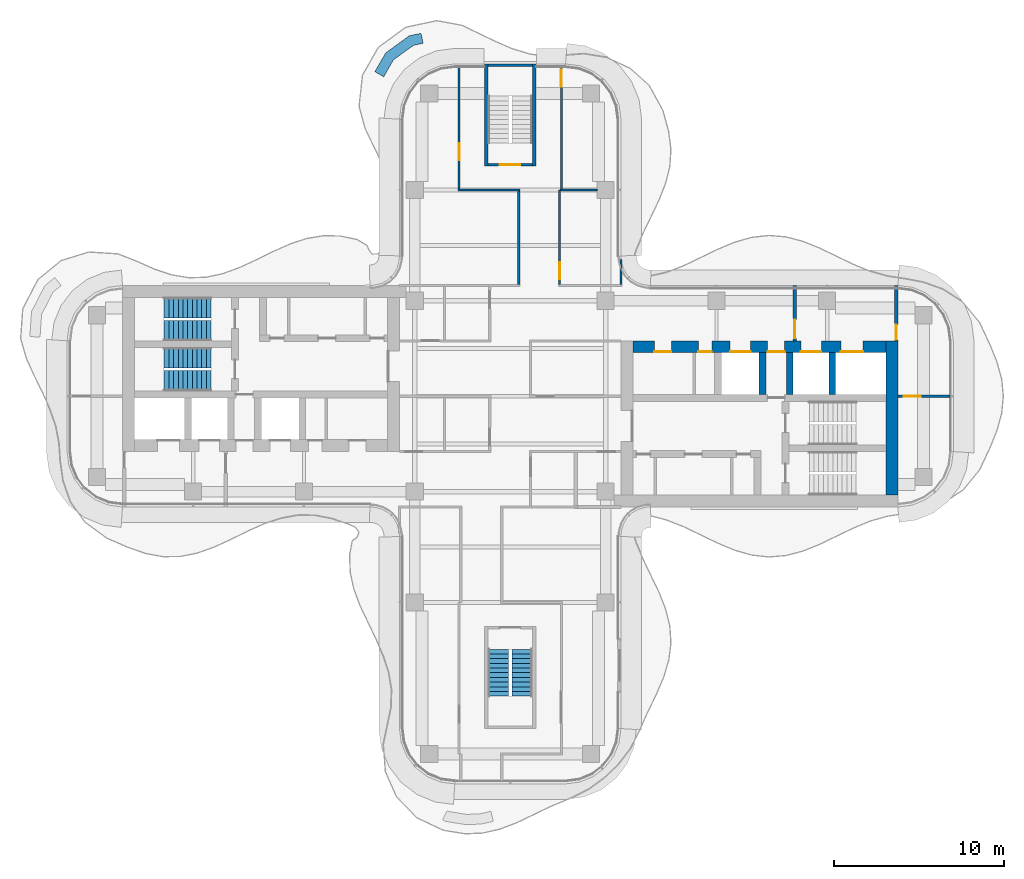
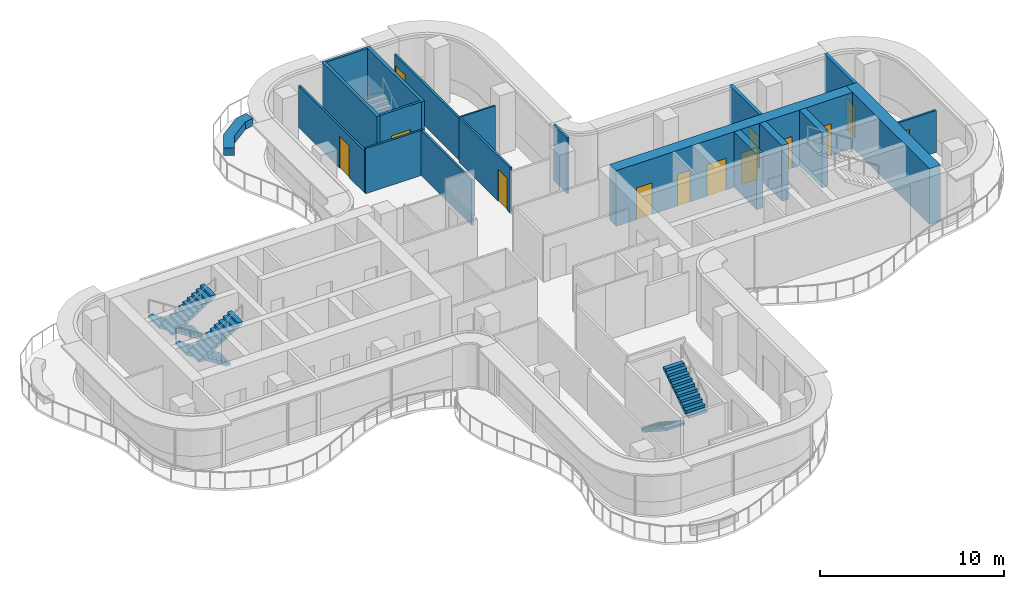
# One storey, part 13 of 16: 20 walls, 13 doors, 6 stair flights, 13 openings, 3 elements without a shape of their own.
"""IFC4 building model written with IfcOpenShell, lengths in metres."""

import ifcopenshell
import ifcopenshell.guid

model = None  # the IFC model being written
_history = None  # IfcOwnerHistory: only IFC2X3 demands one
_inside = {}  # id of a spatial element -> (the spatial element, [elements in it])
_under = {}  # id of a project, library or spatial element -> (it, [spatial elements below it])
_declared = {}  # id of a project -> (the project, [libraries it declares])
_typed = {}  # id of a type object -> (the type object, [elements of that type])
_made_of = {}  # id of a material, layer set ... -> (it, [elements and type objects made of it])


def new_model(schema):
    """Start an empty IFC model of exactly this schema.

    Asked for "IFC4X3", IfcOpenShell would pick the latest addendum, in which some entities
    have other attributes; the version numbers below select the first issue.
    IFC2X3 requires an IfcOwnerHistory on every rooted entity: one is made here for all.
    """
    global model, _history
    if schema == "IFC4X3":
        model = ifcopenshell.file(schema_version=(4, 3, 0, 0))
    else:
        model = ifcopenshell.file(schema=schema)
    _inside.clear()
    _under.clear()
    _declared.clear()
    _typed.clear()
    _made_of.clear()
    _history = None
    if model.schema == "IFC2X3":
        org = make("IfcOrganization", Name="unknown")
        user = make(
            "IfcPersonAndOrganization",
            ThePerson=make("IfcPerson", FamilyName="unknown"),
            TheOrganization=org,
        )
        app = make(
            "IfcApplication",
            ApplicationDeveloper=org,
            Version="unknown",
            ApplicationFullName="unknown",
            ApplicationIdentifier="unknown",
        )
        _history = make(
            "IfcOwnerHistory",
            OwningUser=user,
            OwningApplication=app,
            ChangeAction="ADDED",
            CreationDate=0,
        )
    return model


def make(cls, **values):
    """One entity of the class cls with the attributes given. An attribute that is None is left unset."""
    return model.create_entity(
        cls, **{name: value for name, value in values.items() if value is not None}
    )


def rooted(cls, **values):
    """An entity with a GlobalId (a new one), such as an element, a storey or a relation."""
    return make(cls, GlobalId=ifcopenshell.guid.new(), OwnerHistory=_history, **values)


def si_unit(unit_type, name, prefix=None):
    """IfcSIUnit, for example si_unit("LENGTHUNIT", "METRE", prefix="MILLI")."""
    return make("IfcSIUnit", UnitType=unit_type, Prefix=prefix, Name=name)


def assignment(units):
    """IfcUnitAssignment: the units of a project."""
    return None if units is None else make("IfcUnitAssignment", Units=units)


def point(xyz):
    """IfcCartesianPoint."""
    return None if xyz is None else make("IfcCartesianPoint", Coordinates=xyz)


def direction(xyz):
    """IfcDirection."""
    return None if xyz is None else make("IfcDirection", DirectionRatios=xyz)


def frame(location, z_axis=None, x_axis=None):
    """IfcAxis2Placement3D, a coordinate frame: its origin and axes. An axis left out is left unset."""
    return make(
        "IfcAxis2Placement3D",
        Location=point(location),
        Axis=direction(z_axis),
        RefDirection=direction(x_axis),
    )


def frame_2d(location, x_axis=None):
    """IfcAxis2Placement2D, a coordinate frame in the plane: its origin and x axis."""
    return make(
        "IfcAxis2Placement2D", Location=point(location), RefDirection=direction(x_axis)
    )


def origin():
    """The frame at (0, 0, 0) with its axes left unset."""
    return frame((0.0, 0.0, 0.0))


def place(relative_to, where):
    """IfcLocalPlacement: puts the frame where relative to a parent placement (None: the world)."""
    return make(
        "IfcLocalPlacement", PlacementRelTo=relative_to, RelativePlacement=where
    )


def context(
    kind, dimensions, precision=None, world=None, true_north=None, identifier=None
):
    """IfcGeometricRepresentationContext, for example the 3D "Model" context."""
    return make(
        "IfcGeometricRepresentationContext",
        ContextIdentifier=identifier,
        ContextType=kind,
        CoordinateSpaceDimension=dimensions,
        Precision=precision,
        WorldCoordinateSystem=world,
        TrueNorth=true_north,
    )


def subcontext(parent, identifier, kind, view, scale=None):
    """IfcGeometricRepresentationSubContext, for example "Body" below "Model"."""
    return make(
        "IfcGeometricRepresentationSubContext",
        ContextIdentifier=identifier,
        ContextType=kind,
        ParentContext=parent,
        TargetScale=scale,
        TargetView=view,
    )


def project(units=None, contexts=None):
    """IfcProject with its units and contexts."""
    return rooted(
        "IfcProject",
        Name="project",
        RepresentationContexts=contexts,
        UnitsInContext=assignment(units),
    )


def spatial(cls, under=None, at=None, **own):
    """A site, building, storey or space (cls), placed at a placement, below another one or the project."""
    s = rooted(cls, ObjectPlacement=at, **own)
    if under is not None:
        _under.setdefault(under.id(), (under, []))[1].append(s)
    return s


def polyline(points):
    """IfcPolyline through the points."""
    return make("IfcPolyline", Points=[point(p) for p in points])


def profile(cls, at=None, kind="AREA", **sizes):
    """A parametric profile (cls). Its sizes go by their IFC names, for example OverallWidth=200.0."""
    return make(cls, ProfileType=kind, Position=at, **sizes)


def rectangle(**sizes):
    """IfcRectangleProfileDef."""
    return profile("IfcRectangleProfileDef", **sizes)


def outline(outer, holes=None, kind="AREA"):
    """IfcArbitraryClosedProfileDef: a profile drawn as a closed curve; with holes, ...WithVoids."""
    if holes is None:
        return make("IfcArbitraryClosedProfileDef", ProfileType=kind, OuterCurve=outer)
    return make(
        "IfcArbitraryProfileDefWithVoids",
        ProfileType=kind,
        OuterCurve=outer,
        InnerCurves=holes,
    )


def extrude(swept, where, along, depth):
    """IfcExtrudedAreaSolid: the profile swept, set in the frame where, extruded along a direction by depth."""
    return make(
        "IfcExtrudedAreaSolid",
        SweptArea=swept,
        Position=where,
        ExtrudedDirection=direction(along),
        Depth=depth,
    )


def shape(context_of_items, identifier, shape_type, items):
    """IfcShapeRepresentation: the items that make up one representation, for example the "Body"."""
    return make(
        "IfcShapeRepresentation",
        ContextOfItems=context_of_items,
        RepresentationIdentifier=identifier,
        RepresentationType=shape_type,
        Items=items,
    )


def source(mapping_origin, context_of_items, identifier, shape_type, items):
    """IfcRepresentationMap: a shape defined once, which mapped items show again and again."""
    return make(
        "IfcRepresentationMap",
        MappingOrigin=mapping_origin,
        MappedRepresentation=shape(context_of_items, identifier, shape_type, items),
    )


def transform(
    local_origin,
    x_axis=None,
    y_axis=None,
    z_axis=None,
    scale=None,
    scale2=None,
    scale3=None,
    uniform=True,
):
    """IfcCartesianTransformationOperator3D, or its non-uniform kind. x_axis, y_axis, z_axis: its Axis1, 2, 3."""
    if uniform:
        return make(
            "IfcCartesianTransformationOperator3D",
            Axis1=direction(x_axis),
            Axis2=direction(y_axis),
            LocalOrigin=point(local_origin),
            Scale=scale,
            Axis3=direction(z_axis),
        )
    return make(
        "IfcCartesianTransformationOperator3DnonUniform",
        Axis1=direction(x_axis),
        Axis2=direction(y_axis),
        LocalOrigin=point(local_origin),
        Scale=scale,
        Axis3=direction(z_axis),
        Scale2=scale2,
        Scale3=scale3,
    )


def mapped(mapping_source, mapping_target):
    """IfcMappedItem: shows the shape of a source again, moved by a transform."""
    return make(
        "IfcMappedItem", MappingSource=mapping_source, MappingTarget=mapping_target
    )


def material(Name=None, Category=None):
    """IfcMaterial."""
    return make("IfcMaterial", Name=Name, Category=Category)


def layer(
    of_material, thickness, ventilated=None, Name=None, Category=None, Priority=None
):
    """IfcMaterialLayer: one layer of a wall or slab, of a material (None: an air gap)."""
    return make(
        "IfcMaterialLayer",
        Material=of_material,
        LayerThickness=thickness,
        IsVentilated=ventilated,
        Name=Name,
        Category=Category,
        Priority=Priority,
    )


def layer_set(layers, Name=None):
    """IfcMaterialLayerSet."""
    return make("IfcMaterialLayerSet", MaterialLayers=layers, LayerSetName=Name)


def made_of(thing, what):
    """Note that an element or type object is made of a material, layer set ...; save() writes the relation."""
    if what is not None:
        _made_of.setdefault(what.id(), (what, []))[1].append(thing)
    return thing


def type_object(cls, material=None, **own):
    """A type object (cls), such as IfcWallType, which elements share."""
    return made_of(rooted(cls, **own), material)


def element(
    cls,
    number,
    at=None,
    inside=None,
    cuts=None,
    type_object=None,
    material=None,
    context=None,
    identifier="Body",
    shape_type=None,
    held_by="IfcProductDefinitionShape",
    body=None,
    shapes=None,
    **own,
):
    """One element of the class cls, such as IfcWall. Its Tag is "e" and its number.

    at: its placement. inside: the storey or other place that contains it. cuts: it is an
    opening in that element (IfcRelVoidsElement). A single representation is given by context,
    identifier, shape_type and body (its items); several are given by shapes. held_by: the class
    of the entity that holds the representations. save() writes the other relations.
    """
    e = rooted(cls, Tag="e%d" % number, ObjectPlacement=at, **own)
    if body is not None:
        shapes = [shape(context, identifier, shape_type, body)]
    if shapes is not None:
        e.Representation = make(held_by, Representations=shapes)
    if inside is not None:
        _inside.setdefault(inside.id(), (inside, []))[1].append(e)
    if cuts is not None:
        rooted(
            "IfcRelVoidsElement", RelatingBuildingElement=cuts, RelatedOpeningElement=e
        )
    if type_object is not None:
        _typed.setdefault(type_object.id(), (type_object, []))[1].append(e)
    return made_of(e, material)


def fill(opening, filler):
    """IfcRelFillsElement: the door or window that sits in an opening."""
    return rooted(
        "IfcRelFillsElement",
        RelatingOpeningElement=opening,
        RelatedBuildingElement=filler,
    )


def aggregate(whole, parts):
    """IfcRelAggregates: a whole, such as a stair, and the parts it consists of."""
    return rooted("IfcRelAggregates", RelatingObject=whole, RelatedObjects=parts)


def save(model, path):
    """Write the relations noted so far, then the file.

    IfcRelAggregates (storeys below a building ...), IfcRelContainedInSpatialStructure (elements
    in a storey), IfcRelDefinesByType, IfcRelAssociatesMaterial and IfcRelDeclares: one each for
    every whole, place, type object, material and project.
    """
    for whole, parts in _under.values():
        aggregate(whole, parts)
    for where, things in _inside.values():
        rooted(
            "IfcRelContainedInSpatialStructure",
            RelatedElements=things,
            RelatingStructure=where,
        )
    for kind, things in _typed.values():
        rooted("IfcRelDefinesByType", RelatedObjects=things, RelatingType=kind)
    for what, things in _made_of.values():
        rooted("IfcRelAssociatesMaterial", RelatedObjects=things, RelatingMaterial=what)
    for by, libraries in _declared.values():
        rooted("IfcRelDeclares", RelatingContext=by, RelatedDefinitions=libraries)
    model.write(path)


model = new_model("IFC4")

# Units and contexts
model_context = context("Model", 3, precision=1e-05, world=origin(), true_north=direction((0.0, 1.0)))
body_context = subcontext(model_context, "Body", "Model", "MODEL_VIEW")
ifc_project = project(units=[si_unit("LENGTHUNIT", "METRE"), si_unit("AREAUNIT", "SQUARE_METRE"), si_unit("VOLUMEUNIT", "CUBIC_METRE"), si_unit("PLANEANGLEUNIT", "RADIAN"), si_unit("MASSUNIT", "GRAM", prefix="KILO")], contexts=[model_context])

# Site, building, storey
site_placement = place(None, origin())
site = spatial("IfcSite", under=ifc_project, at=site_placement, CompositionType="ELEMENT")
building_placement = place(site_placement, origin())
building = spatial("IfcBuilding", under=site, at=building_placement, Name="Trellis Farm Tower", CompositionType="ELEMENT")
storey_placement = place(building_placement, frame((0.0, 0.0, 318.39990234375)))
storey = spatial("IfcBuildingStorey", under=building, at=storey_placement, Name="L72", CompositionType="ELEMENT", Elevation=318.39990234375)

# Walls
ifc_material_1 = material(Name="Sandstone faced masonry planter", Category="masonry")
ifc_layer_1 = layer(ifc_material_1, 0.60009765625)
ifc_layer_set_1 = layer_set([ifc_layer_1], Name="PLANTER BED 600")
wall_type_1 = type_object("IfcWallType", Name="PLANTER BED 600", PredefinedType="USERDEFINED", material=ifc_layer_set_1)
placement = place(storey_placement, origin())
element("IfcWall", 1, at=placement, inside=storey, type_object=wall_type_1, Name="PLANTER bed", ObjectType="PLANTER", PredefinedType="USERDEFINED", context=body_context, shape_type="SweptSolid", body=[
    extrude(outline(polyline([(-5.92431640625, 21.1455078125), (-5.23193359375, 21.29248046875), (-5.107421875, 20.70556640625), (-5.67529296875, 20.5849609375), (-6.85009765625, 19.7333984375), (-7.420654296875, 18.740478515625), (-7.94091796875, 19.039306640625), (-7.306396484375, 20.143798828125), (-5.92431640625, 21.1455078125)])), origin(), (0.0, 0.0, 1.0), 0.5),
])
ifc_material_2 = material(Name="Concrete C50/60", Category="concrete")
ifc_layer_2 = layer(ifc_material_2, 0.699951171875)
ifc_layer_set_2 = layer_set([ifc_layer_2], Name="CORE OUTER WALL 700 CONCRETE C50/60")
wall_type_2 = type_object("IfcWallType", Name="CORE OUTER WALL 700 CONCRETE C50/60", PredefinedType="SHEAR", material=ifc_layer_set_2)
shared_shape_1 = source(origin(), body_context, "Body", "SweptSolid", [
    extrude(rectangle(XDim=9.050048828125, YDim=0.699951171875, at=frame_2d((4.52490234375, 0.0))), origin(), (0.0, 0.0, 1.0), 3.7001953125),
])
wall_2_placement = place(storey_placement, frame((22.39990234375, -5.800048828125, 0.0), z_axis=(0.0, 0.0, 1.0), x_axis=(0.0, 1.0, 0.0)))
element("IfcWall", 2, at=wall_2_placement, inside=storey, type_object=wall_type_2, Name="Core wall", PredefinedType="SHEAR", context=body_context, shape_type="MappedRepresentation", body=[
    mapped(shared_shape_1, transform((0.0, 0.0, 0.0))),
])
ifc_layer_3 = layer(ifc_material_2, 0.39990234375)
ifc_layer_set_3 = layer_set([ifc_layer_3], Name="CORE INNER WALL 400 CONCRETE C50/60")
wall_type_3 = type_object("IfcWallType", Name="CORE INNER WALL 400 CONCRETE C50/60", PredefinedType="SHEAR", material=ifc_layer_set_3)
shared_shape_2 = source(origin(), body_context, "Body", "SweptSolid", [
    extrude(rectangle(XDim=2.449951171875, YDim=0.39990234375, at=frame_2d((1.22509765625, 0.0))), origin(), (0.0, 0.0, 1.0), 3.7001953125),
])
for number, where, z_axis, x_axis, name in (
    (3, (14.800048828125, 0.10009765625, 0.0), (0.0, 0.0, 1.0), (0.0, 1.0, 0.0), "Core wall"),
    (4, (16.39990234375, 0.10009765625, 0.0), (0.0, 0.0, 1.0), (0.0, 1.0, 0.0), "Core wall"),
    (5, (18.89990234375, 0.10009765625, 0.0), (0.0, 0.0, 1.0), (0.0, 1.0, 0.0), "Core wall"),
):
    element("IfcWall", number, at=place(storey_placement, frame(where, z_axis=z_axis, x_axis=x_axis)), inside=storey, type_object=wall_type_3, Name=name, PredefinedType="SHEAR", context=body_context, shape_type="MappedRepresentation", body=[
        mapped(shared_shape_2, transform((0.0, 0.0, 0.0))),
    ])

# Wall, opening, door
ifc_material_3 = material(Name="Masonry blockwork", Category="masonry")
ifc_layer_4 = layer(ifc_material_3, 0.199951171875)
ifc_layer_set_4 = layer_set([ifc_layer_4], Name="FIRE LOBBY PARTITION 200 BLOCKWORK")
wall_type_4 = type_object("IfcWallType", Name="FIRE LOBBY PARTITION 200 BLOCKWORK", PredefinedType="PARTITIONING", material=ifc_layer_set_4)
shared_shape_3 = source(origin(), body_context, "Body", "SweptSolid", [
    extrude(rectangle(XDim=3.25, YDim=0.199951171875, at=frame_2d((1.625, 0.0))), origin(), (0.0, 0.0, 1.0), 3.7001953125),
])
wall_3_placement = place(storey_placement, frame((16.699951171875, 3.25, 0.0), z_axis=(0.0, 0.0, 1.0), x_axis=(0.0, 1.0, 0.0)))
wall_3 = element("IfcWall", 6, at=wall_3_placement, inside=storey, type_object=wall_type_4, Name="Fire-fighting lobby partition", PredefinedType="PARTITIONING", context=body_context, shape_type="MappedRepresentation", body=[
    mapped(shared_shape_3, transform((0.0, 0.0, 0.0))),
])
shared_shape_4 = source(origin(), body_context, "Body", "SweptSolid", [
    extrude(rectangle(XDim=1.10009765625, YDim=2.10009765625, at=frame_2d((0.550048828125, 1.050048828125))), frame((0.0, 0.110107421875, 0.0), z_axis=(0.0, -1.0, 0.0), x_axis=(1.0, 0.0, 0.0)), (0.0, 0.0, 1.0), 0.22021484375),
])
opening_1_placement = place(wall_3_placement, frame((0.14990234375, 0.0, 0.0)))
opening_1 = element("IfcOpeningElement", 7, at=opening_1_placement, cuts=wall_3, Name="Opening DC7", PredefinedType="OPENING", context=body_context, shape_type="MappedRepresentation", body=[
    mapped(shared_shape_4, transform((0.0, 0.0, 0.0))),
])
ifc_material_4 = material(Name="Steel", Category="steel")
door_type_1 = type_object("IfcDoorType", Name="CORE FIRE DOOR 1100 X 2100", OperationType="NOTDEFINED", PredefinedType="DOOR", material=ifc_material_4)
shared_shape_5 = source(origin(), body_context, "Body", "SweptSolid", [
    extrude(rectangle(XDim=1.10009765625, YDim=2.10009765625, at=frame_2d((0.550048828125, 1.050048828125))), frame((0.0, 0.02490234375, 0.0), z_axis=(0.0, -1.0, 0.0), x_axis=(1.0, 0.0, 0.0)), (0.0, 0.0, 1.0), 0.050048828125),
])
door_1_placement = place(opening_1_placement, origin())
door_1 = element("IfcDoor", 8, at=door_1_placement, inside=storey, type_object=door_type_1, Name="Core door", OperationType="SINGLE_SWING_RIGHT", OverallHeight=2.10009765625, OverallWidth=1.10009765625, PredefinedType="DOOR", context=body_context, shape_type="MappedRepresentation", body=[
    mapped(shared_shape_5, transform((0.0, 0.0, 0.0))),
])
fill(opening_1, door_1)

wall_4_placement = place(storey_placement, frame((22.64990234375, 3.25, 0.0), z_axis=(0.0, 0.0, 1.0), x_axis=(0.0, 1.0, 0.0)))
wall_4 = element("IfcWall", 9, at=wall_4_placement, inside=storey, type_object=wall_type_4, Name="Fire-fighting lobby partition", PredefinedType="PARTITIONING", context=body_context, shape_type="MappedRepresentation", body=[
    mapped(shared_shape_3, transform((0.0, 0.0, 0.0))),
])
shared_shape_6 = source(origin(), body_context, "Body", "SweptSolid", [
    extrude(rectangle(XDim=0.89990234375, YDim=2.10009765625, at=frame_2d((0.449951171875, 1.050048828125))), frame((0.0, 0.110107421875, 0.0), z_axis=(0.0, -1.0, 0.0), x_axis=(1.0, 0.0, 0.0)), (0.0, 0.0, 1.0), 0.22021484375),
])
opening_2_placement = place(wall_4_placement, frame((0.050048828125, 0.0, 0.0)))
opening_2 = element("IfcOpeningElement", 10, at=opening_2_placement, cuts=wall_4, Name="Opening DC8", PredefinedType="OPENING", context=body_context, shape_type="MappedRepresentation", body=[
    mapped(shared_shape_6, transform((0.0, 0.0, 0.0))),
])
door_type_2 = type_object("IfcDoorType", Name="CORE FIRE DOOR 900 X 2100", OperationType="NOTDEFINED", PredefinedType="DOOR", material=ifc_material_4)
shared_shape_7 = source(origin(), body_context, "Body", "SweptSolid", [
    extrude(rectangle(XDim=0.89990234375, YDim=2.10009765625, at=frame_2d((0.449951171875, 1.050048828125))), frame((0.0, 0.02490234375, 0.0), z_axis=(0.0, -1.0, 0.0), x_axis=(1.0, 0.0, 0.0)), (0.0, 0.0, 1.0), 0.050048828125),
])
door_2_placement = place(opening_2_placement, origin())
door_2 = element("IfcDoor", 11, at=door_2_placement, inside=storey, type_object=door_type_2, Name="Core door", OperationType="SINGLE_SWING_RIGHT", OverallHeight=2.10009765625, OverallWidth=0.89990234375, PredefinedType="DOOR", context=body_context, shape_type="MappedRepresentation", body=[
    mapped(shared_shape_7, transform((0.0, 0.0, 0.0))),
])
fill(opening_2, door_2)

# Wall, openings, doors
shared_shape_8 = source(origin(), body_context, "Body", "SweptSolid", [
    extrude(rectangle(XDim=14.85009765625, YDim=0.699951171875, at=frame_2d((7.425048828125, 0.0))), origin(), (0.0, 0.0, 1.0), 3.7001953125),
])
wall_5_placement = place(storey_placement, frame((7.199951171875, 2.89990234375, 0.0), z_axis=(0.0, 0.0, 1.0), x_axis=(1.0, 0.0, 0.0)))
wall_5 = element("IfcWall", 12, at=wall_5_placement, inside=storey, type_object=wall_type_2, Name="Core wall", PredefinedType="SHEAR", context=body_context, shape_type="MappedRepresentation", body=[
    mapped(shared_shape_8, transform((0.0, 0.0, 0.0))),
])
shared_shape_9 = source(origin(), body_context, "Body", "SweptSolid", [
    extrude(rectangle(XDim=1.199951171875, YDim=2.10009765625, at=frame_2d((0.60009765625, 1.050048828125))), frame((0.0, 0.360107421875, 0.0), z_axis=(0.0, -1.0, 0.0), x_axis=(1.0, 0.0, 0.0)), (0.0, 0.0, 1.0), 0.72021484375),
])
opening_3_placement = place(wall_5_placement, frame((5.699951171875, 0.0, 0.0)))
opening_3 = element("IfcOpeningElement", 13, at=opening_3_placement, cuts=wall_5, Name="Opening LD6", PredefinedType="OPENING", context=body_context, shape_type="MappedRepresentation", body=[
    mapped(shared_shape_9, transform((0.0, 0.0, 0.0))),
])
shared_shape_10 = source(origin(), body_context, "Body", "SweptSolid", [
    extrude(rectangle(XDim=1.300048828125, YDim=2.10009765625, at=frame_2d((0.64990234375, 1.050048828125))), frame((0.0, 0.360107421875, 0.0), z_axis=(0.0, -1.0, 0.0), x_axis=(1.0, 0.0, 0.0)), (0.0, 0.0, 1.0), 0.72021484375),
])
opening_4_placement = place(wall_5_placement, frame((12.199951171875, 0.0, 0.0)))
opening_4 = element("IfcOpeningElement", 14, at=opening_4_placement, cuts=wall_5, Name="Opening LD7", PredefinedType="OPENING", context=body_context, shape_type="MappedRepresentation", body=[
    mapped(shared_shape_10, transform((0.0, 0.0, 0.0))),
])
opening_5_placement = place(wall_5_placement, frame((9.85009765625, 0.0, 0.0)))
opening_5 = element("IfcOpeningElement", 15, at=opening_5_placement, cuts=wall_5, Name="Opening LD8", PredefinedType="OPENING", context=body_context, shape_type="MappedRepresentation", body=[
    mapped(shared_shape_9, transform((0.0, 0.0, 0.0))),
])
shared_shape_11 = source(origin(), body_context, "Body", "SweptSolid", [
    extrude(rectangle(XDim=1.0, YDim=2.10009765625, at=frame_2d((0.5, 1.050048828125))), frame((0.0, 0.360107421875, 0.0), z_axis=(0.0, -1.0, 0.0), x_axis=(1.0, 0.0, 0.0)), (0.0, 0.0, 1.0), 0.72021484375),
])
opening_6_placement = place(wall_5_placement, frame((7.89990234375, 0.0, 0.0)))
opening_6 = element("IfcOpeningElement", 16, at=opening_6_placement, cuts=wall_5, Name="Opening DC6", PredefinedType="OPENING", context=body_context, shape_type="MappedRepresentation", body=[
    mapped(shared_shape_11, transform((0.0, 0.0, 0.0))),
])
opening_7_placement = place(wall_5_placement, frame((1.262451171875, 0.0, 0.0)))
opening_7 = element("IfcOpeningElement", 17, at=opening_7_placement, cuts=wall_5, Name="Opening DC14", PredefinedType="OPENING", context=body_context, shape_type="MappedRepresentation", body=[
    mapped(shared_shape_11, transform((0.0, 0.0, 0.0))),
])
shared_shape_12 = source(origin(), body_context, "Body", "SweptSolid", [
    extrude(rectangle(XDim=0.800048828125, YDim=2.10009765625, at=frame_2d((0.39990234375, 1.050048828125))), frame((0.0, 0.360107421875, 0.0), z_axis=(0.0, -1.0, 0.0), x_axis=(1.0, 0.0, 0.0)), (0.0, 0.0, 1.0), 0.72021484375),
])
opening_8_placement = place(wall_5_placement, frame((3.83740234375, 0.0, 0.0)))
opening_8 = element("IfcOpeningElement", 18, at=opening_8_placement, cuts=wall_5, Name="Opening DC15", PredefinedType="OPENING", context=body_context, shape_type="MappedRepresentation", body=[
    mapped(shared_shape_12, transform((0.0, 0.0, 0.0))),
])
door_type_3 = type_object("IfcDoorType", Name="CORE FIRE DOOR 1000 X 2100", OperationType="NOTDEFINED", PredefinedType="DOOR", material=ifc_material_4)
shared_shape_13 = source(origin(), body_context, "Body", "SweptSolid", [
    extrude(rectangle(XDim=1.0, YDim=2.10009765625, at=frame_2d((0.5, 1.050048828125))), frame((0.0, -0.27490234375, 0.0), z_axis=(0.0, -1.0, 0.0), x_axis=(1.0, 0.0, 0.0)), (0.0, 0.0, 1.0), 0.050048828125),
])
door_3_placement = place(opening_6_placement, origin())
door_3 = element("IfcDoor", 19, at=door_3_placement, inside=storey, type_object=door_type_3, Name="Core door", OperationType="SINGLE_SWING_LEFT", OverallHeight=2.10009765625, OverallWidth=1.0, PredefinedType="DOOR", context=body_context, shape_type="MappedRepresentation", body=[
    mapped(shared_shape_13, transform((0.0, 0.0, 0.0))),
])
fill(opening_6, door_3)
door_4_placement = place(opening_7_placement, origin())
door_4 = element("IfcDoor", 20, at=door_4_placement, inside=storey, type_object=door_type_3, Name="Core door", OperationType="SINGLE_SWING_RIGHT", OverallHeight=2.10009765625, OverallWidth=1.0, PredefinedType="DOOR", context=body_context, shape_type="MappedRepresentation", body=[
    mapped(shared_shape_13, transform((0.0, 0.0, 0.0))),
])
fill(opening_7, door_4)
ifc_material_5 = material(Name="Stainless steel", Category="steel")
door_type_4 = type_object("IfcDoorType", Name="LIFT LANDING DOOR 1300 X 2100", OperationType="DOUBLE_DOOR_SLIDING", PredefinedType="DOOR", material=ifc_material_5)
shared_shape_14 = source(origin(), body_context, "Body", "SweptSolid", [
    extrude(rectangle(XDim=1.300048828125, YDim=2.10009765625, at=frame_2d((0.64990234375, 1.050048828125))), frame((0.0, -0.27490234375, 0.0), z_axis=(0.0, -1.0, 0.0), x_axis=(1.0, 0.0, 0.0)), (0.0, 0.0, 1.0), 0.050048828125),
])
door_5_placement = place(opening_4_placement, origin())
door_5 = element("IfcDoor", 21, at=door_5_placement, inside=storey, type_object=door_type_4, Name="Lift landing door", OperationType="DOUBLE_DOOR_SLIDING", OverallHeight=2.10009765625, OverallWidth=1.300048828125, PredefinedType="DOOR", context=body_context, shape_type="MappedRepresentation", body=[
    mapped(shared_shape_14, transform((0.0, 0.0, 0.0))),
])
fill(opening_4, door_5)
door_type_5 = type_object("IfcDoorType", Name="LIFT LANDING DOOR 1200 X 2100", OperationType="DOUBLE_DOOR_SLIDING", PredefinedType="DOOR", material=ifc_material_5)
shared_shape_15 = source(origin(), body_context, "Body", "SweptSolid", [
    extrude(rectangle(XDim=1.199951171875, YDim=2.10009765625, at=frame_2d((0.60009765625, 1.050048828125))), frame((0.0, -0.27490234375, 0.0), z_axis=(0.0, -1.0, 0.0), x_axis=(1.0, 0.0, 0.0)), (0.0, 0.0, 1.0), 0.050048828125),
])
door_6_placement = place(opening_3_placement, origin())
door_6 = element("IfcDoor", 22, at=door_6_placement, inside=storey, type_object=door_type_5, Name="Lift landing door", OperationType="DOUBLE_DOOR_SLIDING", OverallHeight=2.10009765625, OverallWidth=1.199951171875, PredefinedType="DOOR", context=body_context, shape_type="MappedRepresentation", body=[
    mapped(shared_shape_15, transform((0.0, 0.0, 0.0))),
])
fill(opening_3, door_6)
door_7_placement = place(opening_5_placement, origin())
door_7 = element("IfcDoor", 23, at=door_7_placement, inside=storey, type_object=door_type_5, Name="Lift landing door", OperationType="DOUBLE_DOOR_SLIDING", OverallHeight=2.10009765625, OverallWidth=1.199951171875, PredefinedType="DOOR", context=body_context, shape_type="MappedRepresentation", body=[
    mapped(shared_shape_15, transform((0.0, 0.0, 0.0))),
])
fill(opening_5, door_7)
door_type_6 = type_object("IfcDoorType", Name="CORE FIRE DOOR 800 X 2100", OperationType="NOTDEFINED", PredefinedType="DOOR", material=ifc_material_4)
shared_shape_16 = source(origin(), body_context, "Body", "SweptSolid", [
    extrude(rectangle(XDim=0.800048828125, YDim=2.10009765625, at=frame_2d((0.39990234375, 1.050048828125))), frame((0.0, -0.27490234375, 0.0), z_axis=(0.0, -1.0, 0.0), x_axis=(1.0, 0.0, 0.0)), (0.0, 0.0, 1.0), 0.050048828125),
])
door_8_placement = place(opening_8_placement, origin())
door_8 = element("IfcDoor", 24, at=door_8_placement, inside=storey, type_object=door_type_6, Name="Core door", OperationType="SINGLE_SWING_LEFT", OverallHeight=2.10009765625, OverallWidth=0.800048828125, PredefinedType="DOOR", context=body_context, shape_type="MappedRepresentation", body=[
    mapped(shared_shape_16, transform((0.0, 0.0, 0.0))),
])
fill(opening_8, door_8)

# Walls
ifc_layer_5 = layer(ifc_material_2, 0.199951171875)
ifc_layer_set_5 = layer_set([ifc_layer_5], Name="CORE STAIR ENCLOSURE WALL 200 CONCRETE C50/60")
wall_type_5 = type_object("IfcWallType", Name="CORE STAIR ENCLOSURE WALL 200 CONCRETE C50/60", PredefinedType="SHEAR", material=ifc_layer_set_5)
shared_shape_17 = source(origin(), body_context, "Body", "SweptSolid", [
    extrude(rectangle(XDim=6.0, YDim=0.199951171875, at=frame_2d((3.0, 0.0))), origin(), (0.0, 0.0, 1.0), 3.7001953125),
])
for number, where, z_axis, x_axis, name in (
    (25, (-1.39990234375, 13.5, 0.0), (0.0, 0.0, 1.0), (0.0, 1.0, 0.0), "Stair enclosure wall"),
    (26, (1.39990234375, 13.5, 0.0), (0.0, 0.0, 1.0), (0.0, 1.0, 0.0), "Stair enclosure wall"),
):
    element("IfcWall", number, at=place(storey_placement, frame(where, z_axis=z_axis, x_axis=x_axis)), inside=storey, type_object=wall_type_5, Name=name, PredefinedType="SHEAR", context=body_context, shape_type="MappedRepresentation", body=[
        mapped(shared_shape_17, transform((0.0, 0.0, 0.0))),
    ])

# Wall, opening, door
ifc_layer_6 = layer(ifc_material_2, 0.14990234375)
ifc_layer_set_6 = layer_set([ifc_layer_6], Name="CORE STAIR ENCLOSURE WALL 150 CONCRETE C50/60")
wall_type_6 = type_object("IfcWallType", Name="CORE STAIR ENCLOSURE WALL 150 CONCRETE C50/60", PredefinedType="SHEAR", material=ifc_layer_set_6)
shared_shape_18 = source(origin(), body_context, "Body", "SweptSolid", [
    extrude(rectangle(XDim=2.60009765625, YDim=0.14990234375, at=frame_2d((1.300048828125, 0.0))), origin(), (0.0, 0.0, 1.0), 3.7001953125),
])
wall_6_placement = place(storey_placement, frame((-1.300048828125, 13.574951171875, 0.0), z_axis=(0.0, 0.0, 1.0), x_axis=(1.0, 0.0, 0.0)))
wall_6 = element("IfcWall", 27, at=wall_6_placement, inside=storey, type_object=wall_type_6, Name="Stair enclosure wall", PredefinedType="SHEAR", context=body_context, shape_type="MappedRepresentation", body=[
    mapped(shared_shape_18, transform((0.0, 0.0, 0.0))),
])
shared_shape_19 = source(origin(), body_context, "Body", "SweptSolid", [
    extrude(rectangle(XDim=1.199951171875, YDim=2.10009765625, at=frame_2d((0.60009765625, 1.050048828125))), frame((0.0, 0.0849609375, 0.0), z_axis=(0.0, -1.0, 0.0), x_axis=(1.0, 0.0, 0.0)), (0.0, 0.0, 1.0), 0.169921875),
])
opening_9_placement = place(wall_6_placement, frame((0.699951171875, 0.0, 0.0)))
opening_9 = element("IfcOpeningElement", 28, at=opening_9_placement, cuts=wall_6, Name="Opening DC173", PredefinedType="OPENING", context=body_context, shape_type="MappedRepresentation", body=[
    mapped(shared_shape_19, transform((0.0, 0.0, 0.0))),
])
door_type_7 = type_object("IfcDoorType", Name="CORE FIRE DOOR 1200 X 2100", OperationType="NOTDEFINED", PredefinedType="DOOR", material=ifc_material_4)
shared_shape_20 = source(origin(), body_context, "Body", "SweptSolid", [
    extrude(rectangle(XDim=1.199951171875, YDim=2.10009765625, at=frame_2d((0.60009765625, 1.050048828125))), frame((0.0, 0.02490234375, 0.0), z_axis=(0.0, -1.0, 0.0), x_axis=(1.0, 0.0, 0.0)), (0.0, 0.0, 1.0), 0.050048828125),
])
door_9_placement = place(opening_9_placement, origin())
door_9 = element("IfcDoor", 29, at=door_9_placement, inside=storey, type_object=door_type_7, Name="Core door", OperationType="SINGLE_SWING_LEFT", OverallHeight=2.10009765625, OverallWidth=1.199951171875, PredefinedType="DOOR", context=body_context, shape_type="MappedRepresentation", body=[
    mapped(shared_shape_20, transform((0.0, 0.0, 0.0))),
])
fill(opening_9, door_9)

# Walls
wall_7_placement = place(storey_placement, frame((-1.300048828125, 19.425048828125, 0.0), z_axis=(0.0, 0.0, 1.0), x_axis=(1.0, 0.0, 0.0)))
element("IfcWall", 30, at=wall_7_placement, inside=storey, type_object=wall_type_6, Name="Stair enclosure wall", PredefinedType="SHEAR", context=body_context, shape_type="MappedRepresentation", body=[
    mapped(shared_shape_18, transform((0.0, 0.0, 0.0))),
])
ifc_material_6 = material(Name="Plasterboard on steel studs, mineral wool", Category="steel")
ifc_layer_7 = layer(ifc_material_6, 0.125)
ifc_layer_set_7 = layer_set([ifc_layer_7], Name="PARTITION 125 STUD EI 60")
wall_type_7 = type_object("IfcWallType", Name="PARTITION 125 STUD EI 60", PredefinedType="PARTITIONING", material=ifc_layer_set_7)
shared_shape_21 = source(origin(), body_context, "Body", "SweptSolid", [
    extrude(rectangle(XDim=5.47509765625, YDim=0.125, at=frame_2d((2.737548828125, 0.0))), origin(), (0.0, 0.0, 1.0), 2.99658203125),
])
wall_8_placement = place(storey_placement, frame((0.5, 12.03759765625, 0.0), z_axis=(0.0, 0.0, 1.0), x_axis=(0.0, -1.0, 0.0)))
element("IfcWall", 31, at=wall_8_placement, inside=storey, type_object=wall_type_7, Name="Partition PW1", PredefinedType="PARTITIONING", context=body_context, shape_type="MappedRepresentation", body=[
    mapped(shared_shape_21, transform((0.0, 0.0, 0.0))),
])

# Wall, opening, door
shared_shape_22 = source(origin(), body_context, "Body", "SweptSolid", [
    extrude(rectangle(XDim=5.53759765625, YDim=0.125, at=frame_2d((2.768798828125, 0.0))), origin(), (0.0, 0.0, 1.0), 2.99658203125),
])
wall_9_placement = place(storey_placement, frame((2.89990234375, 12.10009765625, 0.0), z_axis=(0.0, 0.0, 1.0), x_axis=(0.0, -1.0, 0.0)))
wall_9 = element("IfcWall", 32, at=wall_9_placement, inside=storey, type_object=wall_type_7, Name="Partition PW1", PredefinedType="PARTITIONING", context=body_context, shape_type="MappedRepresentation", body=[
    mapped(shared_shape_22, transform((0.0, 0.0, 0.0))),
])
shared_shape_23 = source(origin(), body_context, "Body", "SweptSolid", [
    extrude(rectangle(XDim=1.0, YDim=2.10009765625, at=frame_2d((0.5, 1.050048828125))), frame((0.0, 0.072509765625, 0.0), z_axis=(0.0, -1.0, 0.0), x_axis=(1.0, 0.0, 0.0)), (0.0, 0.0, 1.0), 0.14501953125),
])
opening_10_placement = place(wall_9_placement, frame((4.25, 0.0, 0.0)))
opening_10 = element("IfcOpeningElement", 33, at=opening_10_placement, cuts=wall_9, Name="Opening D109", PredefinedType="OPENING", context=body_context, shape_type="MappedRepresentation", body=[
    mapped(shared_shape_23, transform((0.0, 0.0, 0.0))),
])
ifc_material_7 = material(Name="Fire-rated timber door leaf in a hollow metal frame", Category="wood")
door_type_8 = type_object("IfcDoorType", Name="DOOR 1000x2100 FD30S", OperationType="NOTDEFINED", PredefinedType="DOOR", material=ifc_material_7)
shared_shape_24 = source(origin(), body_context, "Body", "SweptSolid", [
    extrude(rectangle(XDim=1.0, YDim=2.10009765625, at=frame_2d((0.5, 1.050048828125))), frame((0.0, 0.02490234375, 0.0), z_axis=(0.0, -1.0, 0.0), x_axis=(1.0, 0.0, 0.0)), (0.0, 0.0, 1.0), 0.050048828125),
])
door_10_placement = place(opening_10_placement, origin())
door_10 = element("IfcDoor", 34, at=door_10_placement, inside=storey, type_object=door_type_8, Name="Door D109", OperationType="SINGLE_SWING_RIGHT", OverallHeight=2.10009765625, OverallWidth=1.0, PredefinedType="DOOR", context=body_context, shape_type="MappedRepresentation", body=[
    mapped(shared_shape_24, transform((0.0, 0.0, 0.0))),
])
fill(opening_10, door_10)

# Walls
shared_shape_25 = source(origin(), body_context, "Body", "SweptSolid", [
    extrude(rectangle(XDim=3.625, YDim=0.125, at=frame_2d((1.8125, 0.0))), origin(), (0.0, 0.0, 1.0), 2.99658203125),
])
wall_10_placement = place(storey_placement, frame((0.5625, 12.10009765625, 0.0), z_axis=(0.0, 0.0, 1.0), x_axis=(-1.0, 0.0, 0.0)))
element("IfcWall", 35, at=wall_10_placement, inside=storey, type_object=wall_type_7, Name="Partition PW1", PredefinedType="PARTITIONING", context=body_context, shape_type="MappedRepresentation", body=[
    mapped(shared_shape_25, transform((0.0, 0.0, 0.0))),
])
shared_shape_26 = source(origin(), body_context, "Body", "SweptSolid", [
    extrude(rectangle(XDim=1.468994140625, YDim=0.125, at=frame_2d((0.734375, 0.0))), origin(), (0.0, 0.0, 1.0), 3.7001953125),
])
wall_11_placement = place(storey_placement, frame((6.5, 6.5625, 0.0), z_axis=(0.0, 0.0, 1.0), x_axis=(0.0, 1.0, 0.0)))
element("IfcWall", 36, at=wall_11_placement, inside=storey, type_object=wall_type_7, Name="Partition PW1", PredefinedType="PARTITIONING", context=body_context, shape_type="MappedRepresentation", body=[
    mapped(shared_shape_26, transform((0.0, 0.0, 0.0))),
])

# Wall, opening, door
shared_shape_27 = source(origin(), body_context, "Body", "SweptSolid", [
    extrude(rectangle(XDim=3.050048828125, YDim=0.125, at=frame_2d((1.52490234375, 0.0))), origin(), (0.0, 0.0, 1.0), 2.780029296875),
])
wall_12_placement = place(storey_placement, frame((25.800048828125, 0.0, 0.0), z_axis=(0.0, 0.0, 1.0), x_axis=(-1.0, 0.0, 0.0)))
wall_12 = element("IfcWall", 37, at=wall_12_placement, inside=storey, type_object=wall_type_7, Name="Partition PW1", PredefinedType="PARTITIONING", context=body_context, shape_type="MappedRepresentation", body=[
    mapped(shared_shape_27, transform((0.0, 0.0, 0.0))),
])
opening_11_placement = place(wall_12_placement, frame((1.699951171875, 0.0, 0.0)))
opening_11 = element("IfcOpeningElement", 38, at=opening_11_placement, cuts=wall_12, Name="Opening D106", PredefinedType="OPENING", context=body_context, shape_type="MappedRepresentation", body=[
    mapped(shared_shape_23, transform((0.0, 0.0, 0.0))),
])
door_11_placement = place(opening_11_placement, origin())
door_11 = element("IfcDoor", 39, at=door_11_placement, inside=storey, type_object=door_type_8, Name="Door D106", OperationType="SINGLE_SWING_RIGHT", OverallHeight=2.10009765625, OverallWidth=1.0, PredefinedType="DOOR", context=body_context, shape_type="MappedRepresentation", body=[
    mapped(shared_shape_24, transform((0.0, 0.0, 0.0))),
])
fill(opening_11, door_11)

# Wall
ifc_material_8 = material(Name="Plasterboard on steel studs", Category="steel")
ifc_layer_8 = layer(ifc_material_8, 0.10009765625)
ifc_layer_set_8 = layer_set([ifc_layer_8], Name="PARTITION 100 STUD EI 30")
wall_type_8 = type_object("IfcWallType", Name="PARTITION 100 STUD EI 30", PredefinedType="PARTITIONING", material=ifc_layer_set_8)
shared_shape_28 = source(origin(), body_context, "Body", "SweptSolid", [
    extrude(rectangle(XDim=2.16259765625, YDim=0.10009765625, at=frame_2d((1.081298828125, 0.0))), origin(), (0.0, 0.0, 1.0), 2.99658203125),
])
wall_13_placement = place(storey_placement, frame((2.9375, 12.10009765625, 0.0), z_axis=(0.0, 0.0, 1.0), x_axis=(1.0, 0.0, 0.0)))
element("IfcWall", 40, at=wall_13_placement, inside=storey, type_object=wall_type_8, Name="Partition PW2", PredefinedType="PARTITIONING", context=body_context, shape_type="MappedRepresentation", body=[
    mapped(shared_shape_28, transform((0.0, 0.0, 0.0))),
])

# Wall, opening, door
shared_shape_29 = source(origin(), body_context, "Body", "SweptSolid", [
    extrude(rectangle(XDim=7.150146484375, YDim=0.125, at=frame_2d((3.5751953125, 0.0))), origin(), (0.0, 0.0, 1.0), 2.780029296875),
])
wall_14_placement = place(storey_placement, frame((3.0, 19.300048828125, 0.0), z_axis=(0.0, 0.0, 1.0), x_axis=(0.0, -1.0, 0.0)))
wall_14 = element("IfcWall", 41, at=wall_14_placement, inside=storey, type_object=wall_type_7, Name="Partition PW1", PredefinedType="PARTITIONING", context=body_context, shape_type="MappedRepresentation", body=[
    mapped(shared_shape_29, transform((0.0, 0.0, 0.0))),
])
opening_12_placement = place(wall_14_placement, frame((0.14990234375, 0.0, 0.0)))
opening_12 = element("IfcOpeningElement", 42, at=opening_12_placement, cuts=wall_14, Name="Opening D111", PredefinedType="OPENING", context=body_context, shape_type="MappedRepresentation", body=[
    mapped(shared_shape_23, transform((0.0, 0.0, 0.0))),
])
door_12_placement = place(opening_12_placement, origin())
door_12 = element("IfcDoor", 43, at=door_12_placement, inside=storey, type_object=door_type_8, Name="Door D111", OperationType="SINGLE_SWING_LEFT", OverallHeight=2.10009765625, OverallWidth=1.0, PredefinedType="DOOR", context=body_context, shape_type="MappedRepresentation", body=[
    mapped(shared_shape_24, transform((0.0, 0.0, 0.0))),
])
fill(opening_12, door_12)

shared_shape_30 = source(origin(), body_context, "Body", "SweptSolid", [
    extrude(rectangle(XDim=7.137451171875, YDim=0.125, at=frame_2d((3.56884765625, 0.0))), origin(), (0.0, 0.0, 1.0), 2.780029296875),
])
wall_15_placement = place(storey_placement, frame((-3.0, 12.16259765625, 0.0), z_axis=(0.0, 0.0, 1.0), x_axis=(0.0, 1.0, 0.0)))
wall_15 = element("IfcWall", 44, at=wall_15_placement, inside=storey, type_object=wall_type_7, Name="Partition PW1", PredefinedType="PARTITIONING", context=body_context, shape_type="MappedRepresentation", body=[
    mapped(shared_shape_30, transform((0.0, 0.0, 0.0))),
])
opening_13_placement = place(wall_15_placement, frame((1.6875, 0.0, 0.0)))
opening_13 = element("IfcOpeningElement", 45, at=opening_13_placement, cuts=wall_15, Name="Opening D110", PredefinedType="OPENING", context=body_context, shape_type="MappedRepresentation", body=[
    mapped(shared_shape_23, transform((0.0, 0.0, 0.0))),
])
door_13_placement = place(opening_13_placement, origin())
door_13 = element("IfcDoor", 46, at=door_13_placement, inside=storey, type_object=door_type_8, Name="Door D110", OperationType="SINGLE_SWING_LEFT", OverallHeight=2.10009765625, OverallWidth=1.0, PredefinedType="DOOR", context=body_context, shape_type="MappedRepresentation", body=[
    mapped(shared_shape_24, transform((0.0, 0.0, 0.0))),
])
fill(opening_13, door_13)

# Stair, stair flights
stair_type = type_object("IfcStairType", Name="CORE EXIT STAIR 22 RISERS 177 MM", PredefinedType="HALF_TURN_STAIR", material=ifc_material_2)
stair_1 = element("IfcStair", 47, at=placement, inside=storey, type_object=stair_type, Name="Exit stair S", PredefinedType="HALF_TURN_STAIR")
stair_flight_type = type_object("IfcStairFlightType", Name="STAIR FLIGHT 11 RISERS 177 MM", PredefinedType="STRAIGHT", material=ifc_material_2)
shared_shape_31 = source(origin(), body_context, "Body", "SweptSolid", [
    extrude(outline(polyline([(0.0, 0.0), (0.0, 0.17724609375), (0.27490234375, 0.17724609375), (0.27490234375, 0.3544921875), (0.550048828125, 0.3544921875), (0.550048828125, 0.53173828125), (0.824951171875, 0.53173828125), (0.824951171875, 0.708984375), (1.10009765625, 0.708984375), (1.10009765625, 0.886474609375), (1.375, 0.886474609375), (1.375, 1.063720703125), (1.64990234375, 1.063720703125), (1.64990234375, 1.240966796875), (1.925048828125, 1.240966796875), (1.925048828125, 1.418212890625), (2.199951171875, 1.418212890625), (2.199951171875, 1.595458984375), (2.47509765625, 1.595458984375), (2.47509765625, 1.772705078125), (2.75, 1.772705078125), (2.75, 1.949951171875), (2.75, 1.6181640625), (0.23974609375, 0.0), (0.0, 0.0)])), frame((0.0, 0.60009765625, 0.0), z_axis=(0.0, -1.0, 0.0), x_axis=(1.0, 0.0, 0.0)), (0.0, 0.0, 1.0), 1.199951171875),
])
stair_flight_1_placement = place(storey_placement, frame((-0.699951171875, -14.85009765625, 0.0), z_axis=(0.0, 0.0, 1.0), x_axis=(0.0, -1.0, 0.0)))
stair_flight_1 = element("IfcStairFlight", 48, at=stair_flight_1_placement, type_object=stair_flight_type, Name="STS flight 1", NumberOfRisers=11, NumberOfTreads=10, PredefinedType="STRAIGHT", RiserHeight=0.177272727, TreadLength=0.275, context=body_context, shape_type="MappedRepresentation", body=[
    mapped(shared_shape_31, transform((0.0, 0.0, 0.0))),
])
stair_flight_2_placement = place(storey_placement, frame((0.699951171875, -17.60009765625, 1.9501953125), z_axis=(0.0, 0.0, 1.0), x_axis=(0.0, 1.0, 0.0)))
stair_flight_2 = element("IfcStairFlight", 49, at=stair_flight_2_placement, type_object=stair_flight_type, Name="STS flight 2", NumberOfRisers=11, NumberOfTreads=10, PredefinedType="STRAIGHT", RiserHeight=0.177272727, TreadLength=0.275, context=body_context, shape_type="MappedRepresentation", body=[
    mapped(shared_shape_31, transform((0.0, 0.0, 0.0))),
])
aggregate(stair_1, [stair_flight_1, stair_flight_2])

stair_2 = element("IfcStair", 50, at=placement, inside=storey, type_object=stair_type, Name="Exit stair W1", PredefinedType="HALF_TURN_STAIR")
stair_flight_3_placement = place(storey_placement, frame((-17.550048828125, 5.199951171875, 0.0), z_axis=(0.0, 0.0, 1.0), x_axis=(-1.0, 0.0, 0.0)))
stair_flight_3 = element("IfcStairFlight", 51, at=stair_flight_3_placement, type_object=stair_flight_type, Name="STW1 flight 1", NumberOfRisers=11, NumberOfTreads=10, PredefinedType="STRAIGHT", RiserHeight=0.177272727, TreadLength=0.275, context=body_context, shape_type="MappedRepresentation", body=[
    mapped(shared_shape_31, transform((0.0, 0.0, 0.0))),
])
stair_flight_4_placement = place(storey_placement, frame((-20.300048828125, 3.85009765625, 1.9501953125), z_axis=(0.0, 0.0, 1.0), x_axis=(1.0, 0.0, 0.0)))
stair_flight_4 = element("IfcStairFlight", 52, at=stair_flight_4_placement, type_object=stair_flight_type, Name="STW1 flight 2", NumberOfRisers=11, NumberOfTreads=10, PredefinedType="STRAIGHT", RiserHeight=0.177272727, TreadLength=0.275, context=body_context, shape_type="MappedRepresentation", body=[
    mapped(shared_shape_31, transform((0.0, 0.0, 0.0))),
])
aggregate(stair_2, [stair_flight_3, stair_flight_4])

stair_3 = element("IfcStair", 53, at=placement, inside=storey, type_object=stair_type, Name="Exit stair W2", PredefinedType="HALF_TURN_STAIR")
stair_flight_5_placement = place(storey_placement, frame((-17.550048828125, 2.25, 0.0), z_axis=(0.0, 0.0, 1.0), x_axis=(-1.0, 0.0, 0.0)))
stair_flight_5 = element("IfcStairFlight", 54, at=stair_flight_5_placement, type_object=stair_flight_type, Name="STW2 flight 1", NumberOfRisers=11, NumberOfTreads=10, PredefinedType="STRAIGHT", RiserHeight=0.177272727, TreadLength=0.275, context=body_context, shape_type="MappedRepresentation", body=[
    mapped(shared_shape_31, transform((0.0, 0.0, 0.0))),
])
stair_flight_6_placement = place(storey_placement, frame((-20.300048828125, 0.89990234375, 1.9501953125), z_axis=(0.0, 0.0, 1.0), x_axis=(1.0, 0.0, 0.0)))
stair_flight_6 = element("IfcStairFlight", 55, at=stair_flight_6_placement, type_object=stair_flight_type, Name="STW2 flight 2", NumberOfRisers=11, NumberOfTreads=10, PredefinedType="STRAIGHT", RiserHeight=0.177272727, TreadLength=0.275, context=body_context, shape_type="MappedRepresentation", body=[
    mapped(shared_shape_31, transform((0.0, 0.0, 0.0))),
])
aggregate(stair_3, [stair_flight_5, stair_flight_6])

save(model, "model.ifc")
